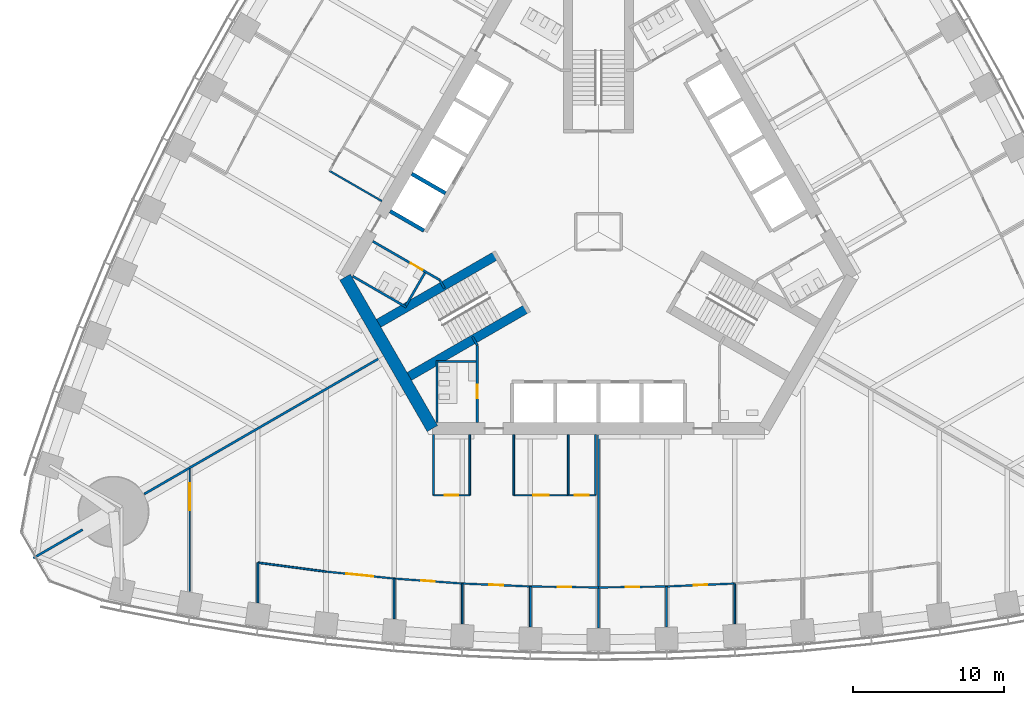
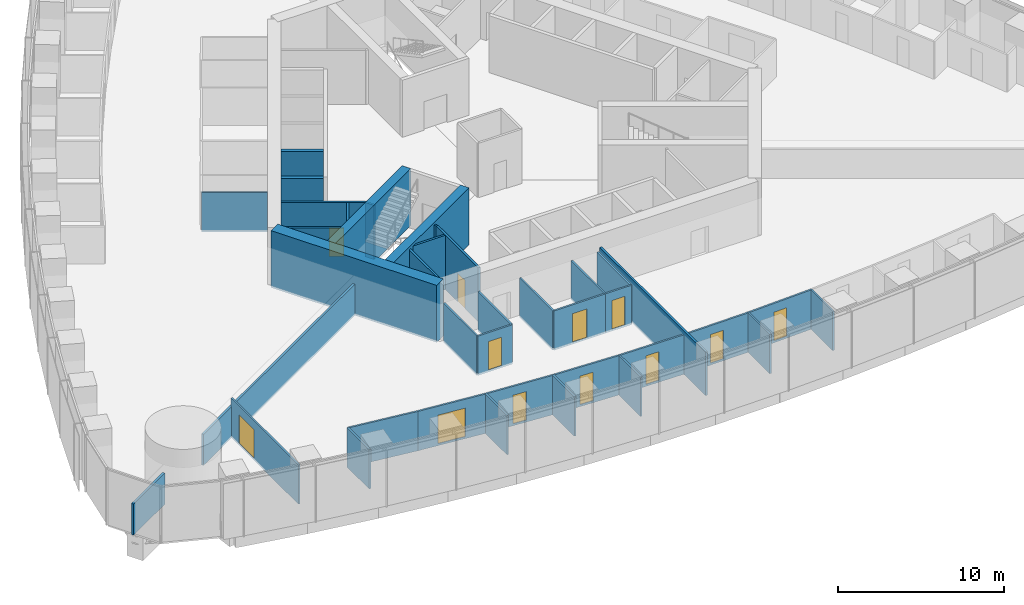
# One storey, part 10 of 19: 39 walls, 12 doors, 12 openings.
"""IFC4 building model written with IfcOpenShell, lengths in metres."""

from ifc_helpers import new_model, si_unit, direction, frame, frame_2d, origin, place, context, subcontext, project, spatial, rectangle, extrude, material, layer, layer_set, type_object, element, fill, save


model = new_model("IFC4")

# Units and contexts
model_context = context("Model", 3, precision=1e-05, world=origin(), true_north=direction((0.0, 1.0)))
body_context = subcontext(model_context, "Body", "Model", "MODEL_VIEW")
ifc_project = project(units=[si_unit("LENGTHUNIT", "METRE"), si_unit("AREAUNIT", "SQUARE_METRE"), si_unit("VOLUMEUNIT", "CUBIC_METRE"), si_unit("PLANEANGLEUNIT", "RADIAN"), si_unit("MASSUNIT", "GRAM", prefix="KILO")], contexts=[model_context])

# Site, building, storey
site_placement = place(None, origin())
site = spatial("IfcSite", under=ifc_project, at=site_placement, CompositionType="ELEMENT")
building_placement = place(site_placement, origin())
building = spatial("IfcBuilding", under=site, at=building_placement, Name="Trefoil Bronze Tower", CompositionType="ELEMENT")
storey_placement = place(building_placement, frame((0.0, 0.0, 16.5)))
storey = spatial("IfcBuildingStorey", under=building, at=storey_placement, Name="L03", CompositionType="ELEMENT", Elevation=16.5)

# Wall
ifc_material_1 = material(Name="Concrete B80", Category="concrete")
ifc_layer_1 = layer(ifc_material_1, 0.800048828125)
ifc_layer_set_1 = layer_set([ifc_layer_1], Name="Core wall 800")
wall_type_1 = type_object("IfcWallType", Name="Core wall 800", PredefinedType="SHEAR", material=ifc_layer_set_1)
wall_1_placement = place(storey_placement, frame((-16.7431640625, -3.0, 0.0), z_axis=(0.0, 0.0, 1.0), x_axis=(0.499995765644, -0.866027848477, 0.0)))
element("IfcWall", 1, at=wall_1_placement, inside=storey, type_object=wall_type_1, Name="Core short wall 3 L03", PredefinedType="SHEAR", context=body_context, shape_type="SweptSolid", body=[
    extrude(rectangle(XDim=11.546875, YDim=0.800048828125, at=frame_2d((5.7734375, 0.0))), origin(), (0.0, 0.0, 1.0), 4.199951171875),
])

# Wall, opening, door
ifc_material_2 = material(Name="Glazed partition", Category="glass")
ifc_layer_2 = layer(ifc_material_2, 0.1201171875)
ifc_layer_set_2 = layer_set([ifc_layer_2], Name="Glazed partition 120")
wall_type_2 = type_object("IfcWallType", Name="Glazed partition 120", PredefinedType="PARTITIONING", material=ifc_layer_set_2)
wall_2_placement = place(storey_placement, frame((-10.89990234375, -17.39990234375, 0.0), z_axis=(0.0, 0.0, 1.0), x_axis=(1.0, 0.0, 0.0)))
wall_2 = element("IfcWall", 2, at=wall_2_placement, inside=storey, type_object=wall_type_2, Name="Partition F1 L03", PredefinedType="PARTITIONING", context=body_context, shape_type="SweptSolid", body=[
    extrude(rectangle(XDim=2.39990234375, YDim=0.1201171875, at=frame_2d((1.199951171875, 0.0))), origin(), (0.0, 0.0, 1.0), 2.89990234375),
])
opening_1_placement = place(wall_2_placement, frame((0.75, 0.0, 0.14990234375)))
opening_1 = element("IfcOpeningElement", 3, at=opening_1_placement, cuts=wall_2, Name="Opening D8", PredefinedType="OPENING", context=body_context, shape_type="SweptSolid", body=[
    extrude(rectangle(XDim=0.89990234375, YDim=2.10009765625, at=frame_2d((0.449951171875, 1.050048828125))), frame((0.0, 0.070068359375, 0.0), z_axis=(0.0, -1.0, 0.0), x_axis=(1.0, 0.0, 0.0)), (0.0, 0.0, 1.0), 0.14013671875),
])
ifc_material_3 = material(Name="Timber door", Category="wood")
door_type_1 = type_object("IfcDoorType", Name="Office door 900", OperationType="SINGLE_SWING_LEFT", PredefinedType="DOOR", material=ifc_material_3)
door_1_placement = place(opening_1_placement, origin())
door_1 = element("IfcDoor", 4, at=door_1_placement, inside=storey, type_object=door_type_1, Name="Print and store room door F1 L03", OperationType="SINGLE_SWING_LEFT", OverallHeight=2.10009765625, OverallWidth=0.89990234375, PredefinedType="DOOR", context=body_context, shape_type="SweptSolid", body=[
    extrude(rectangle(XDim=0.89990234375, YDim=2.10009765625, at=frame_2d((0.449951171875, 1.050048828125))), frame((0.0, 0.02490234375, 0.0), z_axis=(0.0, -1.0, 0.0), x_axis=(1.0, 0.0, 0.0)), (0.0, 0.0, 1.0), 0.050048828125),
])
fill(opening_1, door_1)

wall_3_placement = place(storey_placement, frame((-2.0, -17.39990234375, 0.0), z_axis=(0.0, 0.0, 1.0), x_axis=(1.0, 0.0, 0.0)))
wall_3 = element("IfcWall", 5, at=wall_3_placement, inside=storey, type_object=wall_type_2, Name="Partition F1 L03", PredefinedType="PARTITIONING", context=body_context, shape_type="SweptSolid", body=[
    extrude(rectangle(XDim=1.800048828125, YDim=0.1201171875, at=frame_2d((0.89990234375, 0.0))), origin(), (0.0, 0.0, 1.0), 2.89990234375),
])
opening_2_placement = place(wall_3_placement, frame((0.449951171875, 0.0, 0.14990234375)))
opening_2 = element("IfcOpeningElement", 6, at=opening_2_placement, cuts=wall_3, Name="Opening D8", PredefinedType="OPENING", context=body_context, shape_type="SweptSolid", body=[
    extrude(rectangle(XDim=0.89990234375, YDim=2.10009765625, at=frame_2d((0.449951171875, 1.050048828125))), frame((0.0, 0.070068359375, 0.0), z_axis=(0.0, -1.0, 0.0), x_axis=(1.0, 0.0, 0.0)), (0.0, 0.0, 1.0), 0.14013671875),
])
door_2_placement = place(opening_2_placement, origin())
door_2 = element("IfcDoor", 7, at=door_2_placement, inside=storey, type_object=door_type_1, Name="Phone room door F1 L03", OperationType="SINGLE_SWING_RIGHT", OverallHeight=2.10009765625, OverallWidth=0.89990234375, PredefinedType="DOOR", context=body_context, shape_type="SweptSolid", body=[
    extrude(rectangle(XDim=0.89990234375, YDim=2.10009765625, at=frame_2d((0.449951171875, 1.050048828125))), frame((0.0, 0.02490234375, 0.0), z_axis=(0.0, -1.0, 0.0), x_axis=(1.0, 0.0, 0.0)), (0.0, 0.0, 1.0), 0.050048828125),
])
fill(opening_2, door_2)

wall_4_placement = place(storey_placement, frame((-5.60009765625, -17.39990234375, 0.0), z_axis=(0.0, 0.0, 1.0), x_axis=(1.0, 0.0, 0.0)))
wall_4 = element("IfcWall", 8, at=wall_4_placement, inside=storey, type_object=wall_type_2, Name="Partition F1 L03", PredefinedType="PARTITIONING", context=body_context, shape_type="SweptSolid", body=[
    extrude(rectangle(XDim=3.60009765625, YDim=0.1201171875, at=frame_2d((1.800048828125, 0.0))), origin(), (0.0, 0.0, 1.0), 2.89990234375),
])
opening_3_placement = place(wall_4_placement, frame((1.300048828125, 0.0, 0.14990234375)))
opening_3 = element("IfcOpeningElement", 9, at=opening_3_placement, cuts=wall_4, Name="Opening D9", PredefinedType="OPENING", context=body_context, shape_type="SweptSolid", body=[
    extrude(rectangle(XDim=1.0, YDim=2.10009765625, at=frame_2d((0.5, 1.050048828125))), frame((0.0, 0.070068359375, 0.0), z_axis=(0.0, -1.0, 0.0), x_axis=(1.0, 0.0, 0.0)), (0.0, 0.0, 1.0), 0.14013671875),
])
ifc_material_4 = material(Name="Glazed timber door", Category="wood")
door_type_2 = type_object("IfcDoorType", Name="Meeting room door 1000", OperationType="SINGLE_SWING_LEFT", PredefinedType="DOOR", material=ifc_material_4)
door_3_placement = place(opening_3_placement, origin())
door_3 = element("IfcDoor", 10, at=door_3_placement, inside=storey, type_object=door_type_2, Name="Meeting room door F1 L03", OperationType="SINGLE_SWING_RIGHT", OverallHeight=2.10009765625, OverallWidth=1.0, PredefinedType="DOOR", context=body_context, shape_type="SweptSolid", body=[
    extrude(rectangle(XDim=1.0, YDim=2.10009765625, at=frame_2d((0.5, 1.050048828125))), frame((0.0, 0.02490234375, 0.0), z_axis=(0.0, -1.0, 0.0), x_axis=(1.0, 0.0, 0.0)), (0.0, 0.0, 1.0), 0.050048828125),
])
fill(opening_3, door_3)

# Walls
for number, where, z_axis, x_axis, name in (
    (11, (-0.199951171875, -13.39990234375, 0.0), (0.0, 0.0, 1.0), (0.0, -1.0, 0.0), "Partition F1 L03"),
    (12, (-10.89990234375, -13.39990234375, 0.0), (0.0, 0.0, 1.0), (0.0, -1.0, 0.0), "Partition F1 L03"),
    (13, (-2.0, -13.39990234375, 0.0), (0.0, 0.0, 1.0), (0.0, -1.0, 0.0), "Partition F1 L03"),
    (14, (-5.60009765625, -13.39990234375, 0.0), (0.0, 0.0, 1.0), (0.0, -1.0, 0.0), "Partition F1 L03"),
    (15, (-8.5, -13.39990234375, 0.0), (0.0, 0.0, 1.0), (0.0, -1.0, 0.0), "Partition F1 L03"),
):
    element("IfcWall", number, at=place(storey_placement, frame(where, z_axis=z_axis, x_axis=x_axis)), inside=storey, type_object=wall_type_2, Name=name, PredefinedType="PARTITIONING", context=body_context, shape_type="SweptSolid", body=[
        extrude(rectangle(XDim=4.0, YDim=0.1201171875, at=frame_2d((2.0, 0.0))), origin(), (0.0, 0.0, 1.0), 2.89990234375),
    ])

# Wall, opening, door
wall_5_placement = place(storey_placement, frame((0.0, -23.498779296875, 0.0), z_axis=(0.0, 0.0, 1.0), x_axis=(0.999894311967, 0.014538393859, 0.0)))
wall_5 = element("IfcWall", 16, at=wall_5_placement, inside=storey, type_object=wall_type_2, Name="Partition F1 L03", PredefinedType="PARTITIONING", context=body_context, shape_type="SweptSolid", body=[
    extrude(rectangle(XDim=4.50048828125, YDim=0.1201171875, at=frame_2d((2.250244140625, 0.0))), origin(), (0.0, 0.0, 1.0), 2.89990234375),
])
opening_4_placement = place(wall_5_placement, frame((1.800048828125, 0.0, 0.14990234375)))
opening_4 = element("IfcOpeningElement", 17, at=opening_4_placement, cuts=wall_5, Name="Opening D8", PredefinedType="OPENING", context=body_context, shape_type="SweptSolid", body=[
    extrude(rectangle(XDim=0.89990234375, YDim=2.10009765625, at=frame_2d((0.449951171875, 1.050048828125))), frame((0.0, 0.070068359375, 0.0), z_axis=(0.0, -1.0, 0.0), x_axis=(1.0, 0.0, 0.0)), (0.0, 0.0, 1.0), 0.14013671875),
])
door_4_placement = place(opening_4_placement, frame((0.89990234375, 0.0, 0.0), z_axis=(0.0, 0.0, 1.0), x_axis=(-1.0, 0.0, 0.0)))
door_4 = element("IfcDoor", 18, at=door_4_placement, inside=storey, type_object=door_type_1, Name="Office door F1 L03", OperationType="SINGLE_SWING_RIGHT", OverallHeight=2.10009765625, OverallWidth=0.89990234375, PredefinedType="DOOR", context=body_context, shape_type="SweptSolid", body=[
    extrude(rectangle(XDim=0.89990234375, YDim=2.10009765625, at=frame_2d((0.449951171875, 1.050048828125))), frame((0.0, 0.02490234375, 0.0), z_axis=(0.0, -1.0, 0.0), x_axis=(1.0, 0.0, 0.0)), (0.0, 0.0, 1.0), 0.050048828125),
])
fill(opening_4, door_4)

wall_6_placement = place(storey_placement, frame((4.5, -23.433349609375, 0.0), z_axis=(0.0, 0.0, 1.0), x_axis=(0.999052370647, 0.043524254212, 0.0)))
wall_6 = element("IfcWall", 19, at=wall_6_placement, inside=storey, type_object=wall_type_2, Name="Partition F1 L03", PredefinedType="PARTITIONING", context=body_context, shape_type="SweptSolid", body=[
    extrude(rectangle(XDim=4.504150390625, YDim=0.1201171875, at=frame_2d((2.251953125, 0.0))), origin(), (0.0, 0.0, 1.0), 2.89990234375),
])
opening_5_placement = place(wall_6_placement, frame((1.800048828125, 0.0, 0.14990234375)))
opening_5 = element("IfcOpeningElement", 20, at=opening_5_placement, cuts=wall_6, Name="Opening D8", PredefinedType="OPENING", context=body_context, shape_type="SweptSolid", body=[
    extrude(rectangle(XDim=0.89990234375, YDim=2.10009765625, at=frame_2d((0.449951171875, 1.050048828125))), frame((0.0, 0.070068359375, 0.0), z_axis=(0.0, -1.0, 0.0), x_axis=(1.0, 0.0, 0.0)), (0.0, 0.0, 1.0), 0.14013671875),
])
door_5_placement = place(opening_5_placement, frame((0.89990234375, 0.0, 0.0), z_axis=(0.0, 0.0, 1.0), x_axis=(-1.0, 0.0, 0.0)))
door_5 = element("IfcDoor", 21, at=door_5_placement, inside=storey, type_object=door_type_1, Name="Office door F1 L03", OperationType="SINGLE_SWING_RIGHT", OverallHeight=2.10009765625, OverallWidth=0.89990234375, PredefinedType="DOOR", context=body_context, shape_type="SweptSolid", body=[
    extrude(rectangle(XDim=0.89990234375, YDim=2.10009765625, at=frame_2d((0.449951171875, 1.050048828125))), frame((0.0, 0.02490234375, 0.0), z_axis=(0.0, -1.0, 0.0), x_axis=(1.0, 0.0, 0.0)), (0.0, 0.0, 1.0), 0.050048828125),
])
fill(opening_5, door_5)

wall_7_placement = place(storey_placement, frame((-13.5, -22.909912109375, 0.0), z_axis=(0.0, 0.0, 1.0), x_axis=(0.997363894896, -0.072562119306, 0.0)))
wall_7 = element("IfcWall", 22, at=wall_7_placement, inside=storey, type_object=wall_type_2, Name="Partition F1 L03", PredefinedType="PARTITIONING", context=body_context, shape_type="SweptSolid", body=[
    extrude(rectangle(XDim=4.511962890625, YDim=0.1201171875, at=frame_2d((2.255859375, 0.0))), origin(), (0.0, 0.0, 1.0), 2.89990234375),
])
opening_6_placement = place(wall_7_placement, frame((1.800048828125, 0.0, 0.14990234375)))
opening_6 = element("IfcOpeningElement", 23, at=opening_6_placement, cuts=wall_7, Name="Opening D8", PredefinedType="OPENING", context=body_context, shape_type="SweptSolid", body=[
    extrude(rectangle(XDim=0.89990234375, YDim=2.10009765625, at=frame_2d((0.449951171875, 1.050048828125))), frame((0.0, 0.070068359375, 0.0), z_axis=(0.0, -1.0, 0.0), x_axis=(1.0, 0.0, 0.0)), (0.0, 0.0, 1.0), 0.14013671875),
])
door_6_placement = place(opening_6_placement, frame((0.89990234375, 0.0, 0.0), z_axis=(0.0, 0.0, 1.0), x_axis=(-1.0, 0.0, 0.0)))
door_6 = element("IfcDoor", 24, at=door_6_placement, inside=storey, type_object=door_type_1, Name="Office door F1 L03", OperationType="SINGLE_SWING_RIGHT", OverallHeight=2.10009765625, OverallWidth=0.89990234375, PredefinedType="DOOR", context=body_context, shape_type="SweptSolid", body=[
    extrude(rectangle(XDim=0.89990234375, YDim=2.10009765625, at=frame_2d((0.449951171875, 1.050048828125))), frame((0.0, 0.02490234375, 0.0), z_axis=(0.0, -1.0, 0.0), x_axis=(1.0, 0.0, 0.0)), (0.0, 0.0, 1.0), 0.050048828125),
])
fill(opening_6, door_6)

wall_8_placement = place(storey_placement, frame((-18.0, -22.45068359375, 0.0), z_axis=(0.0, 0.0, 1.0), x_axis=(0.994833141332, -0.101523499286, 0.0)))
wall_8 = element("IfcWall", 25, at=wall_8_placement, inside=storey, type_object=wall_type_2, Name="Partition F1 L03", PredefinedType="PARTITIONING", context=body_context, shape_type="SweptSolid", body=[
    extrude(rectangle(XDim=4.5234375, YDim=0.1201171875, at=frame_2d((2.26171875, 0.0))), origin(), (0.0, 0.0, 1.0), 2.89990234375),
])
opening_7_placement = place(wall_8_placement, frame((1.35009765625, 0.0, 0.14990234375)))
opening_7 = element("IfcOpeningElement", 26, at=opening_7_placement, cuts=wall_8, Name="Opening D10", PredefinedType="OPENING", context=body_context, shape_type="SweptSolid", body=[
    extrude(rectangle(XDim=1.800048828125, YDim=2.10009765625, at=frame_2d((0.89990234375, 1.050048828125))), frame((0.0, 0.070068359375, 0.0), z_axis=(0.0, -1.0, 0.0), x_axis=(1.0, 0.0, 0.0)), (0.0, 0.0, 1.0), 0.14013671875),
])
ifc_material_5 = material(Name="Timber door", Category="wood")
door_type_3 = type_object("IfcDoorType", Name="Double door 1800", OperationType="DOUBLE_DOOR_SINGLE_SWING", PredefinedType="DOOR", material=ifc_material_5)
door_7_placement = place(opening_7_placement, frame((1.800048828125, 0.0, 0.0), z_axis=(0.0, 0.0, 1.0), x_axis=(-1.0, 0.0, 0.0)))
door_7 = element("IfcDoor", 27, at=door_7_placement, inside=storey, type_object=door_type_3, Name="Members' lounge door F1 L03", OperationType="DOUBLE_DOOR_SINGLE_SWING", OverallHeight=2.10009765625, OverallWidth=1.800048828125, PredefinedType="DOOR", context=body_context, shape_type="SweptSolid", body=[
    extrude(rectangle(XDim=1.800048828125, YDim=2.10009765625, at=frame_2d((0.89990234375, 1.050048828125))), frame((0.0, 0.02490234375, 0.0), z_axis=(0.0, -1.0, 0.0), x_axis=(1.0, 0.0, 0.0)), (0.0, 0.0, 1.0), 0.050048828125),
])
fill(opening_7, door_7)

# Wall
wall_9_placement = place(storey_placement, frame((-22.5, -21.85791015625, 0.0), z_axis=(0.0, 0.0, 1.0), x_axis=(0.991435244698, -0.130599217346, 0.0)))
element("IfcWall", 28, at=wall_9_placement, inside=storey, type_object=wall_type_2, Name="Partition F1 L03", PredefinedType="PARTITIONING", context=body_context, shape_type="SweptSolid", body=[
    extrude(rectangle(XDim=4.538818359375, YDim=0.1201171875, at=frame_2d((2.26953125, 0.0))), origin(), (0.0, 0.0, 1.0), 2.89990234375),
])

# Wall, opening, door
wall_10_placement = place(storey_placement, frame((-4.5, -23.433349609375, 0.0), z_axis=(0.0, 0.0, 1.0), x_axis=(0.999894311967, -0.014538393859, 0.0)))
wall_10 = element("IfcWall", 29, at=wall_10_placement, inside=storey, type_object=wall_type_2, Name="Partition F1 L03", PredefinedType="PARTITIONING", context=body_context, shape_type="SweptSolid", body=[
    extrude(rectangle(XDim=4.50048828125, YDim=0.1201171875, at=frame_2d((2.250244140625, 0.0))), origin(), (0.0, 0.0, 1.0), 2.89990234375),
])
opening_8_placement = place(wall_10_placement, frame((1.800048828125, 0.0, 0.14990234375)))
opening_8 = element("IfcOpeningElement", 30, at=opening_8_placement, cuts=wall_10, Name="Opening D8", PredefinedType="OPENING", context=body_context, shape_type="SweptSolid", body=[
    extrude(rectangle(XDim=0.89990234375, YDim=2.10009765625, at=frame_2d((0.449951171875, 1.050048828125))), frame((0.0, 0.070068359375, 0.0), z_axis=(0.0, -1.0, 0.0), x_axis=(1.0, 0.0, 0.0)), (0.0, 0.0, 1.0), 0.14013671875),
])
door_8_placement = place(opening_8_placement, frame((0.89990234375, 0.0, 0.0), z_axis=(0.0, 0.0, 1.0), x_axis=(-1.0, 0.0, 0.0)))
door_8 = element("IfcDoor", 31, at=door_8_placement, inside=storey, type_object=door_type_1, Name="Office door F1 L03", OperationType="SINGLE_SWING_RIGHT", OverallHeight=2.10009765625, OverallWidth=0.89990234375, PredefinedType="DOOR", context=body_context, shape_type="SweptSolid", body=[
    extrude(rectangle(XDim=0.89990234375, YDim=2.10009765625, at=frame_2d((0.449951171875, 1.050048828125))), frame((0.0, 0.02490234375, 0.0), z_axis=(0.0, -1.0, 0.0), x_axis=(1.0, 0.0, 0.0)), (0.0, 0.0, 1.0), 0.050048828125),
])
fill(opening_8, door_8)

wall_11_placement = place(storey_placement, frame((-9.0, -23.2373046875, 0.0), z_axis=(0.0, 0.0, 1.0), x_axis=(0.999052370647, -0.043524254212, 0.0)))
wall_11 = element("IfcWall", 32, at=wall_11_placement, inside=storey, type_object=wall_type_2, Name="Partition F1 L03", PredefinedType="PARTITIONING", context=body_context, shape_type="SweptSolid", body=[
    extrude(rectangle(XDim=4.504150390625, YDim=0.1201171875, at=frame_2d((2.251953125, 0.0))), origin(), (0.0, 0.0, 1.0), 2.89990234375),
])
opening_9_placement = place(wall_11_placement, frame((1.800048828125, 0.0, 0.14990234375)))
opening_9 = element("IfcOpeningElement", 33, at=opening_9_placement, cuts=wall_11, Name="Opening D8", PredefinedType="OPENING", context=body_context, shape_type="SweptSolid", body=[
    extrude(rectangle(XDim=0.89990234375, YDim=2.10009765625, at=frame_2d((0.449951171875, 1.050048828125))), frame((0.0, 0.070068359375, 0.0), z_axis=(0.0, -1.0, 0.0), x_axis=(1.0, 0.0, 0.0)), (0.0, 0.0, 1.0), 0.14013671875),
])
door_9_placement = place(opening_9_placement, frame((0.89990234375, 0.0, 0.0), z_axis=(0.0, 0.0, 1.0), x_axis=(-1.0, 0.0, 0.0)))
door_9 = element("IfcDoor", 34, at=door_9_placement, inside=storey, type_object=door_type_1, Name="Office door F1 L03", OperationType="SINGLE_SWING_RIGHT", OverallHeight=2.10009765625, OverallWidth=0.89990234375, PredefinedType="DOOR", context=body_context, shape_type="SweptSolid", body=[
    extrude(rectangle(XDim=0.89990234375, YDim=2.10009765625, at=frame_2d((0.449951171875, 1.050048828125))), frame((0.0, 0.02490234375, 0.0), z_axis=(0.0, -1.0, 0.0), x_axis=(1.0, 0.0, 0.0)), (0.0, 0.0, 1.0), 0.050048828125),
])
fill(opening_9, door_9)

# Walls
wall_12_placement = place(storey_placement, frame((4.5, -23.433349609375, 0.0), z_axis=(0.0, 0.0, 1.0), x_axis=(0.0, -1.0, 0.0)))
element("IfcWall", 35, at=wall_12_placement, inside=storey, type_object=wall_type_2, Name="Partition F1 L03", PredefinedType="PARTITIONING", context=body_context, shape_type="SweptSolid", body=[
    extrude(rectangle(XDim=2.66943359375, YDim=0.1201171875, at=frame_2d((1.334716796875, 0.0))), origin(), (0.0, 0.0, 1.0), 2.89990234375),
])
wall_13_placement = place(storey_placement, frame((9.0, -23.2373046875, 0.0), z_axis=(0.0, 0.0, 1.0), x_axis=(0.0, -1.0, 0.0)))
element("IfcWall", 36, at=wall_13_placement, inside=storey, type_object=wall_type_2, Name="Partition F1 L03", PredefinedType="PARTITIONING", context=body_context, shape_type="SweptSolid", body=[
    extrude(rectangle(XDim=2.66748046875, YDim=0.1201171875, at=frame_2d((1.333740234375, 0.0))), origin(), (0.0, 0.0, 1.0), 2.89990234375),
])
wall_14_placement = place(storey_placement, frame((-13.5, -22.909912109375, 0.0), z_axis=(0.0, 0.0, 1.0), x_axis=(0.0, -1.0, 0.0)))
element("IfcWall", 37, at=wall_14_placement, inside=storey, type_object=wall_type_2, Name="Partition F1 L03", PredefinedType="PARTITIONING", context=body_context, shape_type="SweptSolid", body=[
    extrude(rectangle(XDim=2.6640625, YDim=0.1201171875, at=frame_2d((1.33203125, 0.0))), origin(), (0.0, 0.0, 1.0), 2.89990234375),
])
wall_15_placement = place(storey_placement, frame((-22.5, -21.85791015625, 0.0), z_axis=(0.0, 0.0, 1.0), x_axis=(0.0, -1.0, 0.0)))
element("IfcWall", 38, at=wall_15_placement, inside=storey, type_object=wall_type_2, Name="Partition F1 L03", PredefinedType="PARTITIONING", context=body_context, shape_type="SweptSolid", body=[
    extrude(rectangle(XDim=2.6533203125, YDim=0.1201171875, at=frame_2d((1.32666015625, 0.0))), origin(), (0.0, 0.0, 1.0), 2.89990234375),
])

# Wall, opening, door
wall_16_placement = place(storey_placement, frame((-27.0, -15.65185546875, 0.0), z_axis=(0.0, 0.0, 1.0), x_axis=(0.0, -1.0, 0.0)))
wall_16 = element("IfcWall", 39, at=wall_16_placement, inside=storey, type_object=wall_type_2, Name="Partition F1 L03", PredefinedType="PARTITIONING", context=body_context, shape_type="SweptSolid", body=[
    extrude(rectangle(XDim=8.124267578125, YDim=0.1201171875, at=frame_2d((4.06201171875, 0.0))), origin(), (0.0, 0.0, 1.0), 2.89990234375),
])
opening_10_placement = place(wall_16_placement, frame((0.949951171875, 0.0, 0.14990234375)))
opening_10 = element("IfcOpeningElement", 40, at=opening_10_placement, cuts=wall_16, Name="Opening D10", PredefinedType="OPENING", context=body_context, shape_type="SweptSolid", body=[
    extrude(rectangle(XDim=1.800048828125, YDim=2.10009765625, at=frame_2d((0.89990234375, 1.050048828125))), frame((0.0, 0.070068359375, 0.0), z_axis=(0.0, -1.0, 0.0), x_axis=(1.0, 0.0, 0.0)), (0.0, 0.0, 1.0), 0.14013671875),
])
door_10_placement = place(opening_10_placement, frame((1.800048828125, 0.0, 0.0), z_axis=(0.0, 0.0, 1.0), x_axis=(-1.0, 0.0, 0.0)))
door_10 = element("IfcDoor", 41, at=door_10_placement, inside=storey, type_object=door_type_3, Name="Kitchen and breakout door F1 L03", OperationType="DOUBLE_DOOR_SINGLE_SWING", OverallHeight=2.10009765625, OverallWidth=1.800048828125, PredefinedType="DOOR", context=body_context, shape_type="SweptSolid", body=[
    extrude(rectangle(XDim=1.800048828125, YDim=2.10009765625, at=frame_2d((0.89990234375, 1.050048828125))), frame((0.0, 0.02490234375, 0.0), z_axis=(0.0, -1.0, 0.0), x_axis=(1.0, 0.0, 0.0)), (0.0, 0.0, 1.0), 0.050048828125),
])
fill(opening_10, door_10)

# Walls
wall_17_placement = place(storey_placement, frame((-4.5, -23.433349609375, 0.0), z_axis=(0.0, 0.0, 1.0), x_axis=(0.0, -1.0, 0.0)))
element("IfcWall", 42, at=wall_17_placement, inside=storey, type_object=wall_type_2, Name="Partition F1 L03", PredefinedType="PARTITIONING", context=body_context, shape_type="SweptSolid", body=[
    extrude(rectangle(XDim=2.66943359375, YDim=0.1201171875, at=frame_2d((1.334716796875, 0.0))), origin(), (0.0, 0.0, 1.0), 2.89990234375),
])
wall_18_placement = place(storey_placement, frame((-9.0, -23.2373046875, 0.0), z_axis=(0.0, 0.0, 1.0), x_axis=(0.0, -1.0, 0.0)))
element("IfcWall", 43, at=wall_18_placement, inside=storey, type_object=wall_type_2, Name="Partition F1 L03", PredefinedType="PARTITIONING", context=body_context, shape_type="SweptSolid", body=[
    extrude(rectangle(XDim=2.66748046875, YDim=0.1201171875, at=frame_2d((1.333740234375, 0.0))), origin(), (0.0, 0.0, 1.0), 2.89990234375),
])
wall_19_placement = place(storey_placement, frame((-14.3046875, 2.0234375, 0.0), z_axis=(0.0, 0.0, 1.0), x_axis=(-0.866026010844, 0.49999894854, 0.0)))
element("IfcWall", 44, at=wall_19_placement, inside=storey, type_object=wall_type_2, Name="Partition F3 L03", PredefinedType="PARTITIONING", context=body_context, shape_type="SweptSolid", body=[
    extrude(rectangle(XDim=4.0, YDim=0.1201171875, at=frame_2d((2.0, 0.0))), origin(), (0.0, 0.0, 1.0), 2.89990234375),
])

# Wall, opening, door
ifc_material_6 = material(Name="Gypsum board on steel studs", Category="steel")
ifc_layer_3 = layer(ifc_material_6, 0.14990234375)
ifc_layer_set_3 = layer_set([ifc_layer_3], Name="Partition 150")
wall_type_3 = type_object("IfcWallType", Name="Partition 150", PredefinedType="PARTITIONING", material=ifc_layer_set_3)
wall_20_placement = place(storey_placement, frame((-8.0, -7.5, 0.0), z_axis=(0.0, 0.0, 1.0), x_axis=(0.0, -1.0, 0.0)))
wall_20 = element("IfcWall", 45, at=wall_20_placement, inside=storey, type_object=wall_type_3, Name="Passage wall F1- L03", PredefinedType="PARTITIONING", context=body_context, shape_type="SweptSolid", body=[
    extrude(rectangle(XDim=5.10009765625, YDim=0.14990234375, at=frame_2d((2.550048828125, 0.0))), origin(), (0.0, 0.0, 1.0), 4.0),
])
opening_11_placement = place(wall_20_placement, frame((2.60009765625, 0.0, 0.0)))
opening_11 = element("IfcOpeningElement", 46, at=opening_11_placement, cuts=wall_20, Name="Opening D3", PredefinedType="OPENING", context=body_context, shape_type="SweptSolid", body=[
    extrude(rectangle(XDim=0.89990234375, YDim=2.10009765625, at=frame_2d((0.449951171875, 1.050048828125))), frame((0.0, 0.0849609375, 0.0), z_axis=(0.0, -1.0, 0.0), x_axis=(1.0, 0.0, 0.0)), (0.0, 0.0, 1.0), 0.169921875),
])
ifc_material_7 = material(Name="Timber door", Category="wood")
door_type_4 = type_object("IfcDoorType", Name="WC door 900", OperationType="SINGLE_SWING_LEFT", PredefinedType="DOOR", material=ifc_material_7)
door_11_placement = place(opening_11_placement, frame((0.89990234375, 0.0, 0.0), z_axis=(0.0, 0.0, 1.0), x_axis=(-1.0, 0.0, 0.0)))
door_11 = element("IfcDoor", 47, at=door_11_placement, inside=storey, type_object=door_type_4, Name="WC (women) door L03", OperationType="SINGLE_SWING_RIGHT", OverallHeight=2.10009765625, OverallWidth=0.89990234375, PredefinedType="DOOR", context=body_context, shape_type="SweptSolid", body=[
    extrude(rectangle(XDim=0.89990234375, YDim=2.10009765625, at=frame_2d((0.449951171875, 1.050048828125))), frame((0.0, 0.02490234375, 0.0), z_axis=(0.0, -1.0, 0.0), x_axis=(1.0, 0.0, 0.0)), (0.0, 0.0, 1.0), 0.050048828125),
])
fill(opening_11, door_11)

wall_21_placement = place(storey_placement, frame((-10.4951171875, -3.17822265625, 0.0), z_axis=(0.0, 0.0, 1.0), x_axis=(-0.86602216432, 0.500005610874, 0.0)))
wall_21 = element("IfcWall", 48, at=wall_21_placement, inside=storey, type_object=wall_type_3, Name="Passage wall F3+ L03", PredefinedType="PARTITIONING", context=body_context, shape_type="SweptSolid", body=[
    extrude(rectangle(XDim=5.10009765625, YDim=0.14990234375, at=frame_2d((2.550048828125, 0.0))), origin(), (0.0, 0.0, 1.0), 4.0),
])
opening_12_placement = place(wall_21_placement, frame((1.300048828125, 0.0, 0.0)))
opening_12 = element("IfcOpeningElement", 49, at=opening_12_placement, cuts=wall_21, Name="Opening D3", PredefinedType="OPENING", context=body_context, shape_type="SweptSolid", body=[
    extrude(rectangle(XDim=0.89990234375, YDim=2.10009765625, at=frame_2d((0.449951171875, 1.050048828125))), frame((0.0, 0.0849609375, 0.0), z_axis=(0.0, -1.0, 0.0), x_axis=(1.0, 0.0, 0.0)), (0.0, 0.0, 1.0), 0.169921875),
])
door_12_placement = place(opening_12_placement, origin())
door_12 = element("IfcDoor", 50, at=door_12_placement, inside=storey, type_object=door_type_4, Name="WC (men) door L03", OperationType="SINGLE_SWING_LEFT", OverallHeight=2.10009765625, OverallWidth=0.89990234375, PredefinedType="DOOR", context=body_context, shape_type="SweptSolid", body=[
    extrude(rectangle(XDim=0.89990234375, YDim=2.10009765625, at=frame_2d((0.449951171875, 1.050048828125))), frame((0.0, 0.02490234375, 0.0), z_axis=(0.0, -1.0, 0.0), x_axis=(1.0, 0.0, 0.0)), (0.0, 0.0, 1.0), 0.050048828125),
])
fill(opening_12, door_12)

# Walls
for number, where, z_axis, x_axis, name in (
    (51, (-10.4951171875, -3.17822265625, 0.0), (0.0, 0.0, 1.0), (0.499842556608, -0.866116284689, 0.0), "WC wall ST3-1 L03"),
    (52, (-8.0, -7.5, 0.0), (0.0, 0.0, 1.0), (-0.499842556608, 0.866116284689, 0.0), "WC wall ST3+1 L03"),
):
    element("IfcWall", number, at=place(storey_placement, frame(where, z_axis=z_axis, x_axis=x_axis)), inside=storey, type_object=wall_type_3, Name=name, PredefinedType="PARTITIONING", context=body_context, shape_type="SweptSolid", body=[
        extrude(rectangle(XDim=0.645263671875, YDim=0.14990234375, at=frame_2d((0.32275390625, 0.0))), origin(), (0.0, 0.0, 1.0), 4.0),
    ])
wall_22_placement = place(storey_placement, frame((-12.691162109375, -4.98193359375, 0.0), z_axis=(0.0, 0.0, 1.0), x_axis=(-0.8660249478, 0.500000789788, 0.0)))
element("IfcWall", 53, at=wall_22_placement, inside=storey, type_object=wall_type_3, Name="WC partition WC (men) L03", PredefinedType="PARTITIONING", context=body_context, shape_type="SweptSolid", body=[
    extrude(rectangle(XDim=4.10009765625, YDim=0.14990234375, at=frame_2d((2.050048828125, 0.0))), origin(), (0.0, 0.0, 1.0), 4.0),
])
wall_23_placement = place(storey_placement, frame((-11.463623046875, -2.70556640625, 0.0), z_axis=(0.0, 0.0, 1.0), x_axis=(-0.50001992892, -0.866013897511, 0.0)))
element("IfcWall", 54, at=wall_23_placement, inside=storey, type_object=wall_type_3, Name="WC partition WC (men) L03", PredefinedType="PARTITIONING", context=body_context, shape_type="SweptSolid", body=[
    extrude(rectangle(XDim=2.51025390625, YDim=0.14990234375, at=frame_2d((1.255126953125, 0.0))), origin(), (0.0, 0.0, 1.0), 4.0),
])
wall_24_placement = place(storey_placement, frame((-10.659912109375, -8.5, 0.0), z_axis=(0.0, 0.0, 1.0), x_axis=(0.0, -1.0, 0.0)))
element("IfcWall", 55, at=wall_24_placement, inside=storey, type_object=wall_type_3, Name="WC partition WC (women) L03", PredefinedType="PARTITIONING", context=body_context, shape_type="SweptSolid", body=[
    extrude(rectangle(XDim=4.10009765625, YDim=0.14990234375, at=frame_2d((2.050048828125, 0.0))), origin(), (0.0, 0.0, 1.0), 4.0),
])
wall_25_placement = place(storey_placement, frame((-8.074951171875, -8.574951171875, 0.0), z_axis=(0.0, 0.0, 1.0), x_axis=(-1.0, 0.0, 0.0)))
element("IfcWall", 56, at=wall_25_placement, inside=storey, type_object=wall_type_3, Name="WC partition WC (women) L03", PredefinedType="PARTITIONING", context=body_context, shape_type="SweptSolid", body=[
    extrude(rectangle(XDim=2.510009765625, YDim=0.14990234375, at=frame_2d((1.2548828125, 0.0))), origin(), (0.0, 0.0, 1.0), 4.0),
])
ifc_material_8 = material(Name="Gypsum board on steel studs", Category="steel")
ifc_layer_4 = layer(ifc_material_8, 0.14990234375)
ifc_layer_set_4 = layer_set([ifc_layer_4], Name="Party wall 150")
wall_type_4 = type_object("IfcWallType", Name="Party wall 150", PredefinedType="PARTITIONING", material=ifc_layer_set_4)
wall_26_placement = place(storey_placement, frame((-14.202880859375, -8.199951171875, 0.0), z_axis=(0.0, 0.0, 1.0), x_axis=(-0.866024965723, -0.500000758745, 0.0)))
element("IfcWall", 57, at=wall_26_placement, inside=storey, type_object=wall_type_4, Name="Party wall K3 L03", PredefinedType="PARTITIONING", context=body_context, shape_type="SweptSolid", body=[
    extrude(rectangle(XDim=18.25, YDim=0.14990234375, at=frame_2d((9.125, 0.0))), origin(), (0.0, 0.0, 1.0), 2.300048828125),
])
wall_27_placement = place(storey_placement, frame((-34.078125, -19.675048828125, 0.0), z_axis=(0.0, 0.0, 1.0), x_axis=(-0.866019247219, -0.500010663332, 0.0)))
element("IfcWall", 58, at=wall_27_placement, inside=storey, type_object=wall_type_4, Name="Party wall K3 L03", PredefinedType="PARTITIONING", context=body_context, shape_type="SweptSolid", body=[
    extrude(rectangle(XDim=3.76416015625, YDim=0.14990234375, at=frame_2d((1.882080078125, 0.0))), origin(), (0.0, 0.0, 1.0), 2.300048828125),
])
wall_28_placement = place(storey_placement, frame((0.0, -13.409912109375, 0.0), z_axis=(0.0, 0.0, 1.0), x_axis=(0.0, -1.0, 0.0)))
element("IfcWall", 59, at=wall_28_placement, inside=storey, type_object=wall_type_4, Name="Demising wall F1 L03", PredefinedType="PARTITIONING", context=body_context, shape_type="SweptSolid", body=[
    extrude(rectangle(XDim=12.7587890625, YDim=0.14990234375, at=frame_2d((6.37939453125, 0.0))), origin(), (0.0, 0.0, 1.0), 3.199951171875),
])
ifc_material_9 = material(Name="Concrete B80", Category="concrete")
ifc_layer_5 = layer(ifc_material_9, 0.25)
ifc_layer_set_5 = layer_set([ifc_layer_5], Name="Shaft wall 250")
wall_type_5 = type_object("IfcWallType", Name="Shaft wall 250", PredefinedType="SHEAR", material=ifc_layer_set_5)
for number, where, z_axis, x_axis, name in (
    (60, (-10.10693359375, 2.54443359375, 0.0), (0.0, 0.0, 1.0), (-0.866046643894, 0.499963209246, 0.0), "Lift shaft side wall C3 L03"),
    (61, (-11.531982421875, 0.076171875, 0.0), (0.0, 0.0, 1.0), (-0.866005588531, 0.500034319456, 0.0), "Lift shaft side wall C4 L03"),
):
    element("IfcWall", number, at=place(storey_placement, frame(where, z_axis=z_axis, x_axis=x_axis)), inside=storey, type_object=wall_type_5, Name=name, PredefinedType="SHEAR", context=body_context, shape_type="SweptSolid", body=[
        extrude(rectangle(XDim=2.574951171875, YDim=0.25, at=frame_2d((1.28759765625, 0.0))), origin(), (0.0, 0.0, 1.0), 4.199951171875),
    ])
ifc_material_10 = material(Name="Concrete B80", Category="concrete")
ifc_layer_6 = layer(ifc_material_10, 0.60009765625)
ifc_layer_set_6 = layer_set([ifc_layer_6], Name="Stair wall 600")
wall_type_6 = type_object("IfcWallType", Name="Stair wall 600", PredefinedType="SHEAR", material=ifc_layer_set_6)
for number, where, z_axis, x_axis, name in (
    (62, (-6.663330078125, -1.5087890625, 0.0), (0.0, 0.0, 1.0), (-0.866019375473, -0.500010441196, 0.0), "Stair wall ST3 L03"),
    (63, (-4.638427734375, -5.01611328125, 0.0), (0.0, 0.0, 1.0), (-0.866019375473, -0.500010441196, 0.0), "Stair wall ST3 L03"),
):
    element("IfcWall", number, at=place(storey_placement, frame(where, z_axis=z_axis, x_axis=x_axis)), inside=storey, type_object=wall_type_6, Name=name, PredefinedType="SHEAR", context=body_context, shape_type="SweptSolid", body=[
        extrude(rectangle(XDim=9.074951171875, YDim=0.60009765625, at=frame_2d((4.53759765625, 0.0))), origin(), (0.0, 0.0, 1.0), 4.199951171875),
    ])

save(model, "model.ifc")
